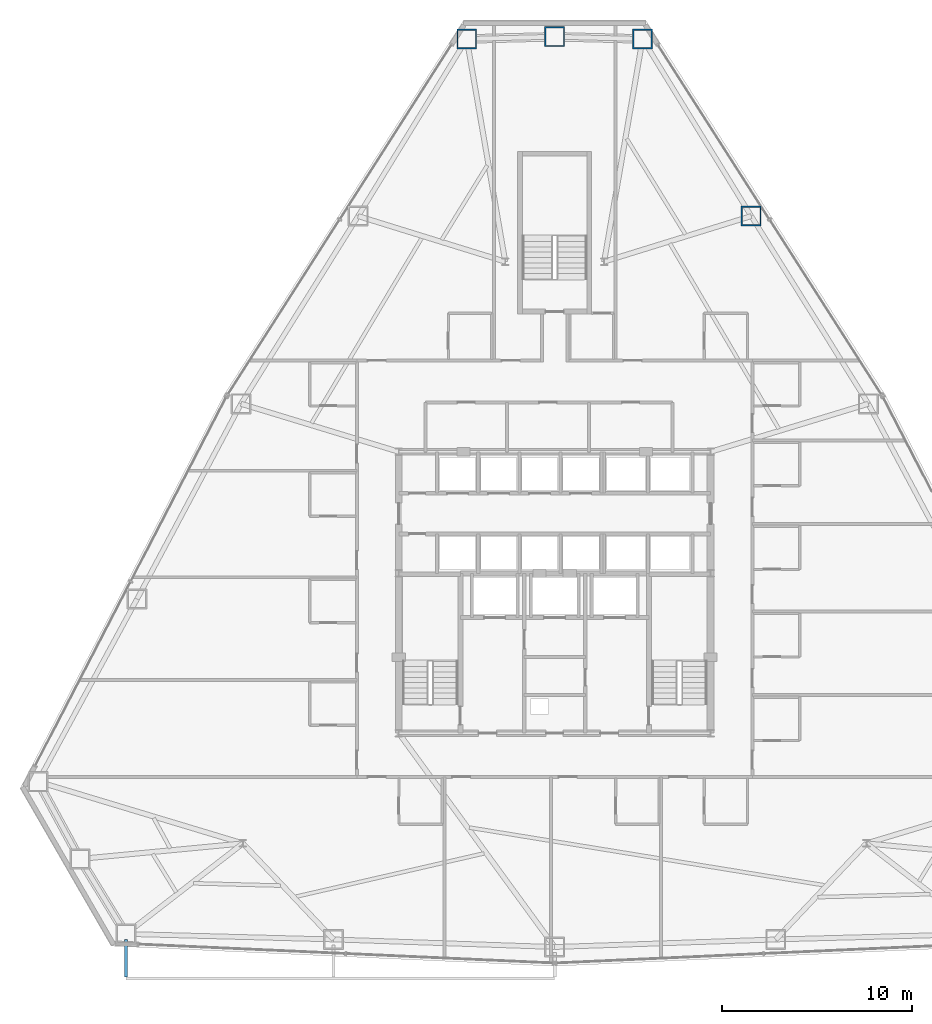
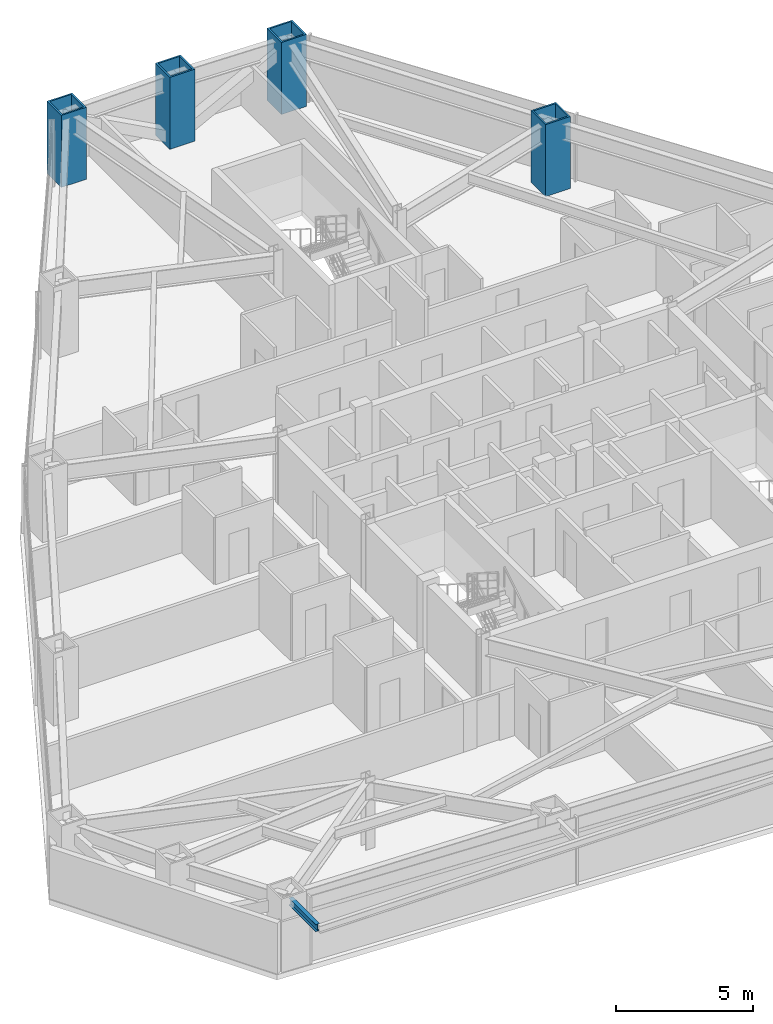
# One storey, part 3 of 13: 4 columns, 1 beam.
"""IFC4 building model written with IfcOpenShell, lengths in metres."""

import ifcopenshell
import ifcopenshell.guid

model = None  # the IFC model being written
_history = None  # IfcOwnerHistory: only IFC2X3 demands one
_inside = {}  # id of a spatial element -> (the spatial element, [elements in it])
_under = {}  # id of a project, library or spatial element -> (it, [spatial elements below it])
_declared = {}  # id of a project -> (the project, [libraries it declares])
_typed = {}  # id of a type object -> (the type object, [elements of that type])
_made_of = {}  # id of a material, layer set ... -> (it, [elements and type objects made of it])


def new_model(schema):
    """Start an empty IFC model of exactly this schema.

    Asked for "IFC4X3", IfcOpenShell would pick the latest addendum, in which some entities
    have other attributes; the version numbers below select the first issue.
    IFC2X3 requires an IfcOwnerHistory on every rooted entity: one is made here for all.
    """
    global model, _history
    if schema == "IFC4X3":
        model = ifcopenshell.file(schema_version=(4, 3, 0, 0))
    else:
        model = ifcopenshell.file(schema=schema)
    _inside.clear()
    _under.clear()
    _declared.clear()
    _typed.clear()
    _made_of.clear()
    _history = None
    if model.schema == "IFC2X3":
        org = make("IfcOrganization", Name="unknown")
        user = make(
            "IfcPersonAndOrganization",
            ThePerson=make("IfcPerson", FamilyName="unknown"),
            TheOrganization=org,
        )
        app = make(
            "IfcApplication",
            ApplicationDeveloper=org,
            Version="unknown",
            ApplicationFullName="unknown",
            ApplicationIdentifier="unknown",
        )
        _history = make(
            "IfcOwnerHistory",
            OwningUser=user,
            OwningApplication=app,
            ChangeAction="ADDED",
            CreationDate=0,
        )
    return model


def make(cls, **values):
    """One entity of the class cls with the attributes given. An attribute that is None is left unset."""
    return model.create_entity(
        cls, **{name: value for name, value in values.items() if value is not None}
    )


def rooted(cls, **values):
    """An entity with a GlobalId (a new one), such as an element, a storey or a relation."""
    return make(cls, GlobalId=ifcopenshell.guid.new(), OwnerHistory=_history, **values)


def si_unit(unit_type, name, prefix=None):
    """IfcSIUnit, for example si_unit("LENGTHUNIT", "METRE", prefix="MILLI")."""
    return make("IfcSIUnit", UnitType=unit_type, Prefix=prefix, Name=name)


def assignment(units):
    """IfcUnitAssignment: the units of a project."""
    return None if units is None else make("IfcUnitAssignment", Units=units)


def point(xyz):
    """IfcCartesianPoint."""
    return None if xyz is None else make("IfcCartesianPoint", Coordinates=xyz)


def direction(xyz):
    """IfcDirection."""
    return None if xyz is None else make("IfcDirection", DirectionRatios=xyz)


def frame(location, z_axis=None, x_axis=None):
    """IfcAxis2Placement3D, a coordinate frame: its origin and axes. An axis left out is left unset."""
    return make(
        "IfcAxis2Placement3D",
        Location=point(location),
        Axis=direction(z_axis),
        RefDirection=direction(x_axis),
    )


def frame_2d(location, x_axis=None):
    """IfcAxis2Placement2D, a coordinate frame in the plane: its origin and x axis."""
    return make(
        "IfcAxis2Placement2D", Location=point(location), RefDirection=direction(x_axis)
    )


def origin():
    """The frame at (0, 0, 0) with its axes left unset."""
    return frame((0.0, 0.0, 0.0))


def origin_2d():
    """The frame at (0, 0) in the plane with its x axis left unset."""
    return frame_2d((0.0, 0.0))


def place(relative_to, where):
    """IfcLocalPlacement: puts the frame where relative to a parent placement (None: the world)."""
    return make(
        "IfcLocalPlacement", PlacementRelTo=relative_to, RelativePlacement=where
    )


def context(
    kind, dimensions, precision=None, world=None, true_north=None, identifier=None
):
    """IfcGeometricRepresentationContext, for example the 3D "Model" context."""
    return make(
        "IfcGeometricRepresentationContext",
        ContextIdentifier=identifier,
        ContextType=kind,
        CoordinateSpaceDimension=dimensions,
        Precision=precision,
        WorldCoordinateSystem=world,
        TrueNorth=true_north,
    )


def subcontext(parent, identifier, kind, view, scale=None):
    """IfcGeometricRepresentationSubContext, for example "Body" below "Model"."""
    return make(
        "IfcGeometricRepresentationSubContext",
        ContextIdentifier=identifier,
        ContextType=kind,
        ParentContext=parent,
        TargetScale=scale,
        TargetView=view,
    )


def project(units=None, contexts=None):
    """IfcProject with its units and contexts."""
    return rooted(
        "IfcProject",
        Name="project",
        RepresentationContexts=contexts,
        UnitsInContext=assignment(units),
    )


def spatial(cls, under=None, at=None, **own):
    """A site, building, storey or space (cls), placed at a placement, below another one or the project."""
    s = rooted(cls, ObjectPlacement=at, **own)
    if under is not None:
        _under.setdefault(under.id(), (under, []))[1].append(s)
    return s


def profile(cls, at=None, kind="AREA", **sizes):
    """A parametric profile (cls). Its sizes go by their IFC names, for example OverallWidth=200.0."""
    return make(cls, ProfileType=kind, Position=at, **sizes)


def hollow_rectangle(**sizes):
    """IfcRectangleHollowProfileDef."""
    return profile("IfcRectangleHollowProfileDef", **sizes)


def i_section(**sizes):
    """IfcIShapeProfileDef."""
    return profile("IfcIShapeProfileDef", **sizes)


def extrude(swept, where, along, depth):
    """IfcExtrudedAreaSolid: the profile swept, set in the frame where, extruded along a direction by depth."""
    return make(
        "IfcExtrudedAreaSolid",
        SweptArea=swept,
        Position=where,
        ExtrudedDirection=direction(along),
        Depth=depth,
    )


def shape(context_of_items, identifier, shape_type, items):
    """IfcShapeRepresentation: the items that make up one representation, for example the "Body"."""
    return make(
        "IfcShapeRepresentation",
        ContextOfItems=context_of_items,
        RepresentationIdentifier=identifier,
        RepresentationType=shape_type,
        Items=items,
    )


def material(Name=None, Category=None):
    """IfcMaterial."""
    return make("IfcMaterial", Name=Name, Category=Category)


def material_profile(
    of_material, cross_section, Name=None, Category=None, Priority=None
):
    """IfcMaterialProfile: a cross section and its material."""
    return make(
        "IfcMaterialProfile",
        Name=Name,
        Material=of_material,
        Profile=cross_section,
        Priority=Priority,
        Category=Category,
    )


def profile_set(profiles, Name=None, composite=None):
    """IfcMaterialProfileSet."""
    return make(
        "IfcMaterialProfileSet",
        Name=Name,
        MaterialProfiles=profiles,
        CompositeProfile=composite,
    )


def made_of(thing, what):
    """Note that an element or type object is made of a material, layer set ...; save() writes the relation."""
    if what is not None:
        _made_of.setdefault(what.id(), (what, []))[1].append(thing)
    return thing


def type_object(cls, material=None, **own):
    """A type object (cls), such as IfcWallType, which elements share."""
    return made_of(rooted(cls, **own), material)


def element(
    cls,
    number,
    at=None,
    inside=None,
    cuts=None,
    type_object=None,
    material=None,
    context=None,
    identifier="Body",
    shape_type=None,
    held_by="IfcProductDefinitionShape",
    body=None,
    shapes=None,
    **own,
):
    """One element of the class cls, such as IfcWall. Its Tag is "e" and its number.

    at: its placement. inside: the storey or other place that contains it. cuts: it is an
    opening in that element (IfcRelVoidsElement). A single representation is given by context,
    identifier, shape_type and body (its items); several are given by shapes. held_by: the class
    of the entity that holds the representations. save() writes the other relations.
    """
    e = rooted(cls, Tag="e%d" % number, ObjectPlacement=at, **own)
    if body is not None:
        shapes = [shape(context, identifier, shape_type, body)]
    if shapes is not None:
        e.Representation = make(held_by, Representations=shapes)
    if inside is not None:
        _inside.setdefault(inside.id(), (inside, []))[1].append(e)
    if cuts is not None:
        rooted(
            "IfcRelVoidsElement", RelatingBuildingElement=cuts, RelatedOpeningElement=e
        )
    if type_object is not None:
        _typed.setdefault(type_object.id(), (type_object, []))[1].append(e)
    return made_of(e, material)


def aggregate(whole, parts):
    """IfcRelAggregates: a whole, such as a stair, and the parts it consists of."""
    return rooted("IfcRelAggregates", RelatingObject=whole, RelatedObjects=parts)


def save(model, path):
    """Write the relations noted so far, then the file.

    IfcRelAggregates (storeys below a building ...), IfcRelContainedInSpatialStructure (elements
    in a storey), IfcRelDefinesByType, IfcRelAssociatesMaterial and IfcRelDeclares: one each for
    every whole, place, type object, material and project.
    """
    for whole, parts in _under.values():
        aggregate(whole, parts)
    for where, things in _inside.values():
        rooted(
            "IfcRelContainedInSpatialStructure",
            RelatedElements=things,
            RelatingStructure=where,
        )
    for kind, things in _typed.values():
        rooted("IfcRelDefinesByType", RelatedObjects=things, RelatingType=kind)
    for what, things in _made_of.values():
        rooted("IfcRelAssociatesMaterial", RelatedObjects=things, RelatingMaterial=what)
    for by, libraries in _declared.values():
        rooted("IfcRelDeclares", RelatingContext=by, RelatedDefinitions=libraries)
    model.write(path)


model = new_model("IFC4")

# Units and contexts
model_context = context("Model", 3, precision=1e-05, world=origin(), true_north=direction((0.0, 1.0)))
body_context = subcontext(model_context, "Body", "Model", "MODEL_VIEW")
ifc_project = project(units=[si_unit("LENGTHUNIT", "METRE"), si_unit("AREAUNIT", "SQUARE_METRE"), si_unit("VOLUMEUNIT", "CUBIC_METRE"), si_unit("PLANEANGLEUNIT", "RADIAN"), si_unit("MASSUNIT", "GRAM", prefix="KILO")], contexts=[model_context])

# Site, building, storey
site_placement = place(None, origin())
site = spatial("IfcSite", under=ifc_project, at=site_placement, CompositionType="ELEMENT")
building_placement = place(site_placement, origin())
building = spatial("IfcBuilding", under=site, at=building_placement, Name="Varakhsha Concourse Tower", CompositionType="ELEMENT")
storey_placement = place(building_placement, frame((0.0, 0.0, 89.39990234375)))
storey = spatial("IfcBuildingStorey", under=building, at=storey_placement, Name="L25", CompositionType="ELEMENT", Elevation=89.39990234375)

# Columns
ifc_material_1 = material(Name="Structural Steel ASTM A572 Grade 50", Category="steel")
ifc_material_profile_1 = material_profile(ifc_material_1, hollow_rectangle(XDim=1.050048828125, YDim=1.050048828125, WallThickness=0.070068359375, at=origin_2d()), Name="BOX 1050x1050x70")
ifc_profile_set_1 = profile_set([ifc_material_profile_1], Name="Structural Steel ASTM A572 Grade 50")
column_type = type_object("IfcColumnType", Name="CL-TUBE-1050", PredefinedType="COLUMN", material=ifc_profile_set_1)
for number, where, z_axis, x_axis, name in (
    (1, (44.624755859375, 52.911865234375, 0.0), (0.0, 0.0, 1.0), (1.0, 0.0, 0.0), "L25 Framed-Tube Column TC01"),
    (2, (40.0, 53.031005859375, 0.0), (0.0, 0.0, 1.0), (1.0, 0.0, 0.0), "L25 Framed-Tube Column TC02"),
    (3, (35.375244140625, 52.911865234375, 0.0), (0.0, 0.0, 1.0), (1.0, 0.0, 0.0), "L25 Framed-Tube Column TC03"),
    (4, (50.337890625, 43.596435546875, 0.0), (0.0, 0.0, 1.0), (1.0, 0.0, 0.0), "L25 Framed-Tube Column TC18"),
):
    element("IfcColumn", number, at=place(storey_placement, frame(where, z_axis=z_axis, x_axis=x_axis)), inside=storey, type_object=column_type, Name=name, PredefinedType="COLUMN", context=body_context, shape_type="SweptSolid", body=[
        extrude(hollow_rectangle(XDim=1.050048828125, YDim=1.050048828125, WallThickness=0.070068359375, at=origin_2d()), origin(), (0.0, 0.0, 1.0), 3.2001953125),
    ])

# Beam
ifc_material_2 = material(Name="Structural Steel ASTM A992 Grade 50", Category="steel")
ifc_material_profile_2 = material_profile(ifc_material_2, i_section(OverallWidth=0.1669921875, OverallDepth=0.31689453125, WebThickness=0.008056640625, FlangeThickness=0.012939453125, at=origin_2d()), Name="W12X35")
ifc_profile_set_2 = profile_set([ifc_material_profile_2], Name="Structural Steel ASTM A992 Grade 50")
beam_type = type_object("IfcBeamType", Name="BM-EDGE-W12X35", PredefinedType="BEAM", material=ifc_profile_set_2)
beam_placement = place(storey_placement, frame((17.447265625, 5.5439453125, 2.801513671875), z_axis=(0.0, -1.0, 0.0), x_axis=(1.0, 0.0, 0.0)))
element("IfcBeam", 5, at=beam_placement, inside=storey, type_object=beam_type, Name="L26 Sky-Loggia Support Bracket 1", PredefinedType="BEAM", context=body_context, shape_type="SweptSolid", body=[
    extrude(i_section(OverallWidth=0.1669921875, OverallDepth=0.31689453125, WebThickness=0.008056640625, FlangeThickness=0.012939453125, at=origin_2d()), origin(), (0.0, 0.0, 1.0), 1.96044921875),
])

save(model, "model.ifc")
